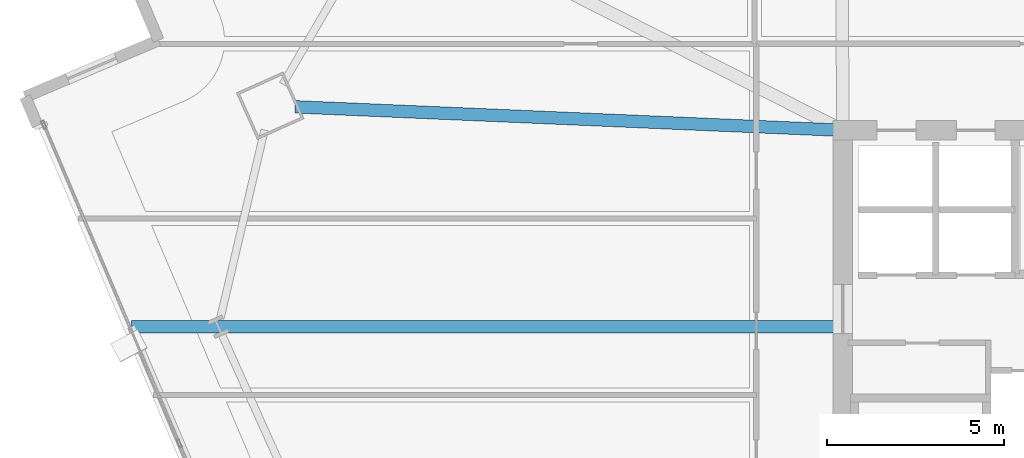
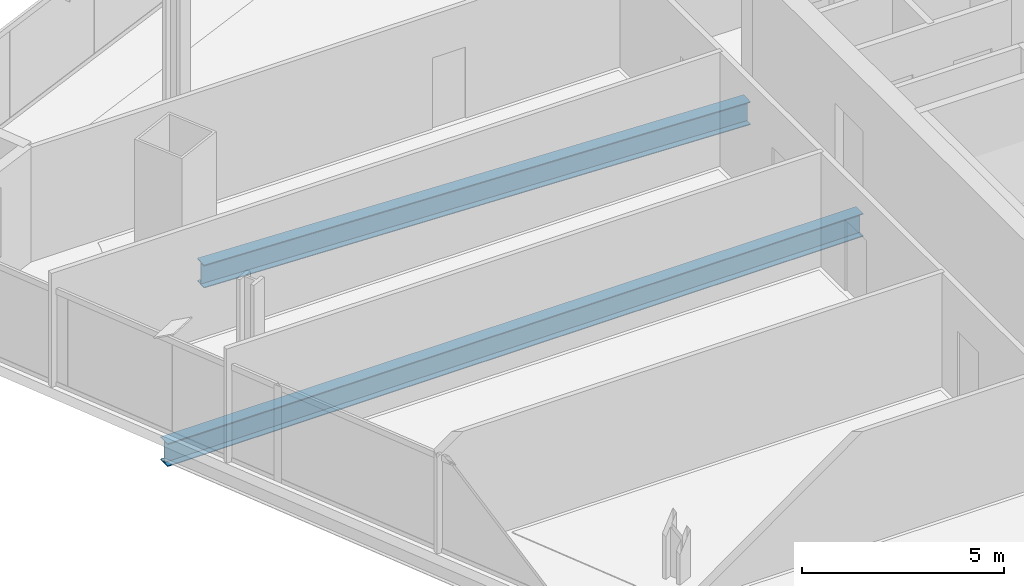
# One storey, part 15 of 34: 2 beams.
"""IFC4 building model written with IfcOpenShell, lengths in metres."""

from ifc_helpers import new_model, si_unit, direction, frame, origin, origin_2d, place, context, subcontext, project, spatial, i_section, extrude, material, material_profile, profile_set, type_object, element, save


model = new_model("IFC4")

# Units and contexts
model_context = context("Model", 3, precision=1e-05, world=origin(), true_north=direction((0.0, 1.0)))
body_context = subcontext(model_context, "Body", "Model", "MODEL_VIEW")
ifc_project = project(units=[si_unit("LENGTHUNIT", "METRE"), si_unit("AREAUNIT", "SQUARE_METRE"), si_unit("VOLUMEUNIT", "CUBIC_METRE"), si_unit("PLANEANGLEUNIT", "RADIAN"), si_unit("MASSUNIT", "GRAM", prefix="KILO")], contexts=[model_context])

# Site, building, storey
site_placement = place(None, origin())
site = spatial("IfcSite", under=ifc_project, at=site_placement, CompositionType="ELEMENT")
building_placement = place(site_placement, origin())
building = spatial("IfcBuilding", under=site, at=building_placement, Name="Haldenkirk Collegiate Tower", CompositionType="ELEMENT")
storey_placement = place(building_placement, frame((0.0, 0.0, 105.449951171875)))
storey = spatial("IfcBuildingStorey", under=building, at=storey_placement, Name="L25", CompositionType="ELEMENT", Elevation=105.449951171875)

# Beams
ifc_material = material(Name="Steel ASTM A992 Grade 50", Category="steel")
ifc_material_profile = material_profile(ifc_material, i_section(OverallWidth=0.35498046875, OverallDepth=0.696044921875, WebThickness=0.015380859375, FlangeThickness=0.02490234375, at=origin_2d()), Name="W27X146")
ifc_profile_set = profile_set([ifc_material_profile], Name="Steel ASTM A992 Grade 50")
beam_type = type_object("IfcBeamType", Name="BM-GIRDER-W27X146", PredefinedType="BEAM", material=ifc_profile_set)
beam_1_placement = place(storey_placement, frame((11.489990234375, 34.6650390625, -0.64794921875), z_axis=(0.999082162822, -0.042834938212, 0.0), x_axis=(0.042834938212, 0.999082162822, 0.0)))
element("IfcBeam", 1, at=beam_1_placement, inside=storey, type_object=beam_type, Name="L25 primary floor girder 04", PredefinedType="BEAM", context=body_context, shape_type="SweptSolid", body=[
    extrude(i_section(OverallWidth=0.35498046875, OverallDepth=0.696044921875, WebThickness=0.015380859375, FlangeThickness=0.02490234375, at=origin_2d()), origin(), (0.0, 0.0, 1.0), 15.26904296875),
])
beam_2_placement = place(storey_placement, frame((6.8505859375, 28.436767578125, -0.64794921875), z_axis=(1.0, 0.0, 0.0), x_axis=(0.0, 1.0, 0.0)))
element("IfcBeam", 2, at=beam_2_placement, inside=storey, type_object=beam_type, Name="L25 primary floor girder 14", PredefinedType="BEAM", context=body_context, shape_type="SweptSolid", body=[
    extrude(i_section(OverallWidth=0.35498046875, OverallDepth=0.696044921875, WebThickness=0.015380859375, FlangeThickness=0.02490234375, at=origin_2d()), origin(), (0.0, 0.0, 1.0), 19.89453125),
])

save(model, "model.ifc")
